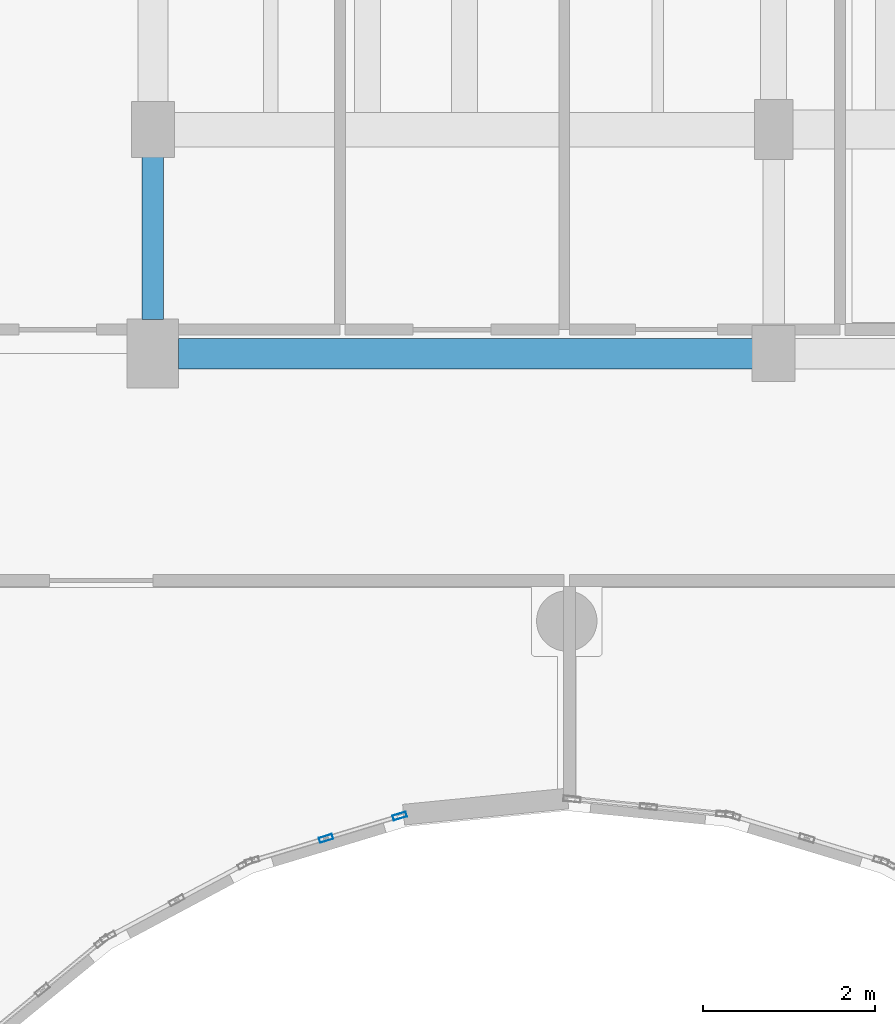
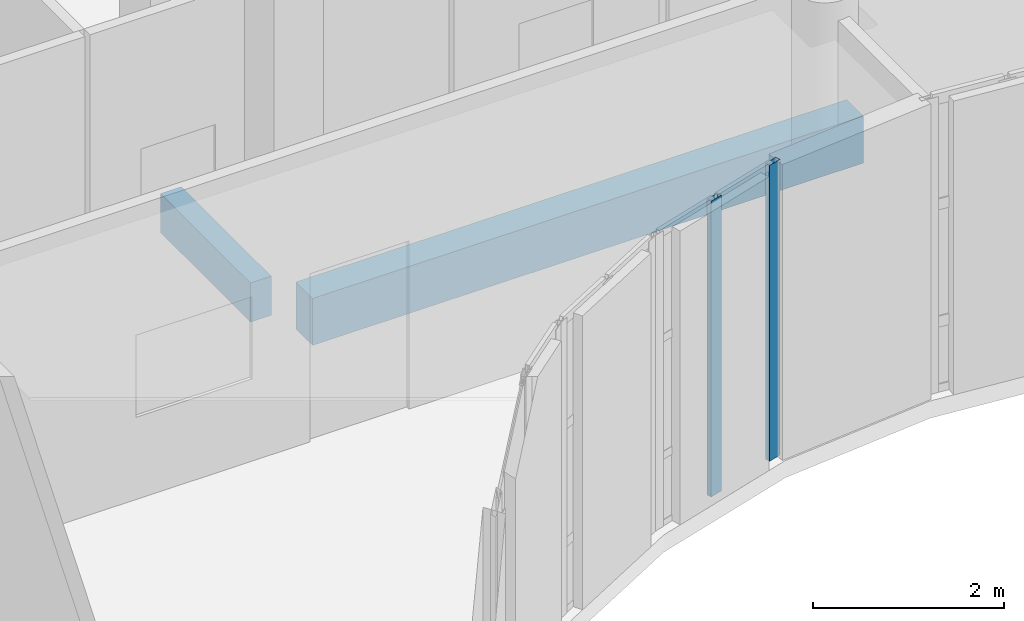
# One storey, part 39 of 89: 2 beams, 2 members, 1 element without a shape of its own.
"""IFC4 building model written with IfcOpenShell, lengths in metres."""

from ifc_helpers import new_model, si_unit, direction, frame, origin, origin_2d, place, context, subcontext, project, spatial, rectangle, hollow_rectangle, extrude, material, layer, layer_set, material_profile, profile_set, type_object, element, aggregate, save


model = new_model("IFC4")

# Units and contexts
model_context = context("Model", 3, precision=1e-05, world=origin(), true_north=direction((0.0, 1.0)))
body_context = subcontext(model_context, "Body", "Model", "MODEL_VIEW")
ifc_project = project(units=[si_unit("LENGTHUNIT", "METRE"), si_unit("AREAUNIT", "SQUARE_METRE"), si_unit("VOLUMEUNIT", "CUBIC_METRE"), si_unit("PLANEANGLEUNIT", "RADIAN"), si_unit("MASSUNIT", "GRAM", prefix="KILO")], contexts=[model_context])

# Site, building, storey
site_placement = place(None, origin())
site = spatial("IfcSite", under=ifc_project, at=site_placement, CompositionType="ELEMENT")
building_placement = place(site_placement, origin())
building = spatial("IfcBuilding", under=site, at=building_placement, Name="Kelanivale Promenade Academy", CompositionType="ELEMENT")
storey_placement = place(building_placement, frame((0.0, 0.0, 12.199951171875)))
storey = spatial("IfcBuildingStorey", under=building, at=storey_placement, Name="L03", CompositionType="ELEMENT", Elevation=12.199951171875)

# Beam
ifc_material_1 = material(Name="Concrete C35/45", Category="concrete")
ifc_material_profile_1 = material_profile(ifc_material_1, rectangle(XDim=0.35009765625, YDim=0.60009765625, at=origin_2d()), Name="RC-BM 350x600")
ifc_profile_set_1 = profile_set([ifc_material_profile_1], Name="Concrete C35/45")
beam_type_1 = type_object("IfcBeamType", Name="BM-09 RC-BM 350x600", PredefinedType="BEAM", material=ifc_profile_set_1)
beam_1_placement = place(storey_placement, frame((94.294921875, 71.60009765625, -0.52001953125), z_axis=(1.0, 0.0, 0.0), x_axis=(0.0, 1.0, 0.0)))
element("IfcBeam", 1, at=beam_1_placement, inside=storey, type_object=beam_type_1, Name="L03 girder BM-09", PredefinedType="BEAM", context=body_context, shape_type="SweptSolid", body=[
    extrude(rectangle(XDim=0.35009765625, YDim=0.60009765625, at=origin_2d()), origin(), (0.0, 0.0, 1.0), 6.66015625),
])

# Curtain wall, members
ifc_material_2 = material(Name="Bronze anodised aluminium and solar-control low-E glass", Category="aluminium")
ifc_layer = layer(ifc_material_2, 0.179931640625)
ifc_layer_set = layer_set([ifc_layer], Name="Bronze anodised aluminium and solar-control low-E glass")
curtain_wall_type = type_object("IfcCurtainWallType", Name="CW-17 Curtain Wall 1950mm Module", PredefinedType="USERDEFINED", material=ifc_layer_set)
curtain_wall_placement = place(storey_placement, origin())
curtain_wall = element("IfcCurtainWall", 2, at=curtain_wall_placement, inside=storey, type_object=curtain_wall_type, Name="L03 courtyard curtain wall CW-17", ObjectType="COURTYARD SCREEN GLAZING", PredefinedType="USERDEFINED")
ifc_material_3 = material(Name="Bronze anodised aluminium EN AW-6063 T6", Category="aluminium")
ifc_material_profile_2 = material_profile(ifc_material_3, hollow_rectangle(XDim=0.06005859375, YDim=0.159912109375, WallThickness=0.00390625, at=origin_2d()), Name="ALU 60x160x4.0")
ifc_profile_set_2 = profile_set([ifc_material_profile_2], Name="Bronze anodised aluminium EN AW-6063 T6")
member_type = type_object("IfcMemberType", Name="CWM-01 ALU 60x160x4.0", PredefinedType="MULLION", material=ifc_profile_set_2)
member_1_placement = place(storey_placement, frame((96.86328125, 66.23828125, 0.0), z_axis=(0.0, 0.0, 1.0), x_axis=(0.290127576893, -0.956987977524, 0.0)))
member_1 = element("IfcMember", 3, at=member_1_placement, type_object=member_type, Name="CW-17 mullion 1", PredefinedType="MULLION", context=body_context, shape_type="SweptSolid", body=[
    extrude(hollow_rectangle(XDim=0.06005859375, YDim=0.159912109375, WallThickness=0.00390625, at=origin_2d()), origin(), (0.0, 0.0, 1.0), 3.780029296875),
])
member_2_placement = place(storey_placement, frame((96.008056640625, 65.97900390625, 0.0), z_axis=(0.0, 0.0, 1.0), x_axis=(0.290127576893, -0.956987977524, 0.0)))
member_2 = element("IfcMember", 4, at=member_2_placement, type_object=member_type, Name="CW-17 mullion 2", PredefinedType="MULLION", context=body_context, shape_type="SweptSolid", body=[
    extrude(hollow_rectangle(XDim=0.06005859375, YDim=0.159912109375, WallThickness=0.00390625, at=origin_2d()), origin(), (0.0, 0.0, 1.0), 3.780029296875),
])
aggregate(curtain_wall, [member_1, member_2])

# Beam
ifc_material_profile_3 = material_profile(ifc_material_1, rectangle(XDim=0.25, YDim=0.5, at=origin_2d()), Name="RC-BM 250x500")
ifc_profile_set_3 = profile_set([ifc_material_profile_3], Name="Concrete C35/45")
beam_type_2 = type_object("IfcBeamType", Name="LN-02 RC-BM 250x500", PredefinedType="LINTEL", material=ifc_profile_set_3)
beam_2_placement = place(storey_placement, frame((94.0, 71.9951171875, -0.469970703125), z_axis=(0.0, 1.0, 0.0), x_axis=(-1.0, 0.0, 0.0)))
element("IfcBeam", 5, at=beam_2_placement, inside=storey, type_object=beam_type_2, Name="L03 beam LN-02", PredefinedType="LINTEL", context=body_context, shape_type="SweptSolid", body=[
    extrude(rectangle(XDim=0.25, YDim=0.5, at=origin_2d()), origin(), (0.0, 0.0, 1.0), 1.884765625),
])

save(model, "model.ifc")
